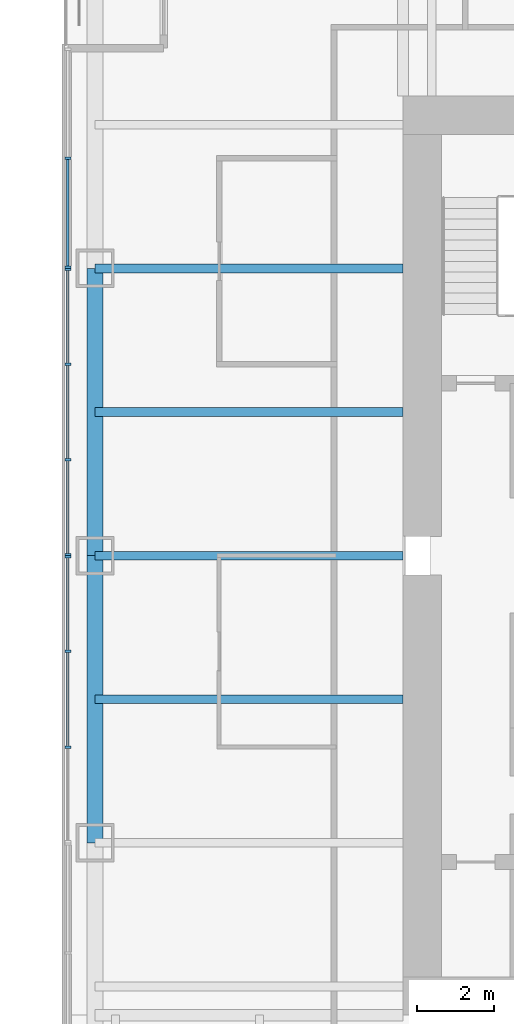
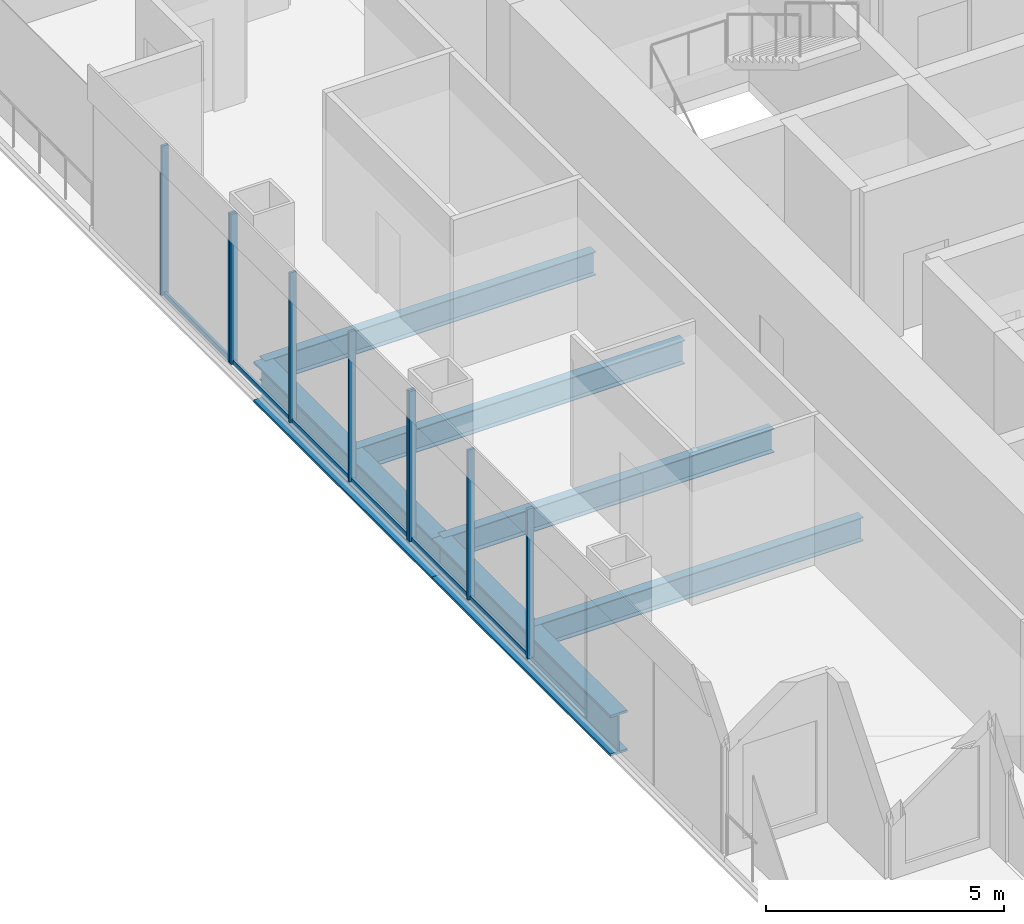
# One storey, part 4 of 14: 15 members, 6 beams, 3 elements without a shape of their own.
"""IFC4 building model written with IfcOpenShell, lengths in metres."""

from ifc_helpers import new_model, si_unit, direction, frame, origin, origin_2d, place, context, subcontext, project, spatial, rectangle, i_section, extrude, material, material_profile, profile_set, type_object, element, aggregate, save


model = new_model("IFC4")

# Units and contexts
model_context = context("Model", 3, precision=1e-05, world=origin(), true_north=direction((0.0, 1.0)))
body_context = subcontext(model_context, "Body", "Model", "MODEL_VIEW")
ifc_project = project(units=[si_unit("LENGTHUNIT", "METRE"), si_unit("AREAUNIT", "SQUARE_METRE"), si_unit("VOLUMEUNIT", "CUBIC_METRE"), si_unit("PLANEANGLEUNIT", "RADIAN"), si_unit("MASSUNIT", "GRAM", prefix="KILO")], contexts=[model_context])

# Site, building, storey
site_placement = place(None, origin())
site = spatial("IfcSite", under=ifc_project, at=site_placement, CompositionType="ELEMENT")
building_placement = place(site_placement, origin())
building = spatial("IfcBuilding", under=site, at=building_placement, Name="Tarangal Relay Tower", CompositionType="ELEMENT")
storey_placement = place(building_placement, frame((0.0, 0.0, 267.89990234375)))
storey = spatial("IfcBuildingStorey", under=building, at=storey_placement, Name="L58", CompositionType="ELEMENT", Elevation=267.89990234375)

# Beams
ifc_material_1 = material(Name="Steel ASTM A992", Category="steel")
ifc_material_profile_1 = material_profile(ifc_material_1, i_section(OverallWidth=0.41162109375, OverallDepth=1.049072265625, WebThickness=0.033935546875, FlangeThickness=0.059814453125, at=origin_2d()), Name="W40X431")
ifc_profile_set_1 = profile_set([ifc_material_profile_1], Name="Steel ASTM A992")
beam_type_1 = type_object("IfcBeamType", Name="Edge girder W40X431", PredefinedType="SPANDREL", material=ifc_profile_set_1)
for number, where, z_axis, x_axis, name in (
    (1, (-20.0400390625, -7.5, -0.67431640625), (0.0, 1.0, 0.0), (-1.0, 0.0, 0.0), "Edge girder EG1 W L58"),
    (2, (-20.0400390625, 0.0, -0.67431640625), (0.0, 1.0, 0.0), (-1.0, 0.0, 0.0), "Edge girder EG1 W L58"),
):
    element("IfcBeam", number, at=place(storey_placement, frame(where, z_axis=z_axis, x_axis=x_axis)), inside=storey, type_object=beam_type_1, Name=name, PredefinedType="SPANDREL", context=body_context, shape_type="SweptSolid", body=[
        extrude(i_section(OverallWidth=0.41162109375, OverallDepth=1.049072265625, WebThickness=0.033935546875, FlangeThickness=0.059814453125, at=origin_2d()), origin(), (0.0, 0.0, 1.0), 7.5),
    ])
ifc_material_profile_2 = material_profile(ifc_material_1, i_section(OverallWidth=0.228271484375, OverallDepth=0.607177734375, WebThickness=0.01123046875, FlangeThickness=0.017333984375, at=origin_2d()), Name="W24X76")
ifc_profile_set_2 = profile_set([ifc_material_profile_2], Name="Steel ASTM A992")
beam_type_2 = type_object("IfcBeamType", Name="Floor beam W24X76", PredefinedType="BEAM", material=ifc_profile_set_2)
for number, where, z_axis, x_axis, name in (
    (3, (-12.0, -3.75, -0.453369140625), (-1.0, 0.0, 0.0), (0.0, -1.0, 0.0), "Floor beam RB5 W L58"),
    (4, (-12.0, 0.0, -0.453369140625), (-1.0, 0.0, 0.0), (0.0, -1.0, 0.0), "Floor beam RB5 W L58"),
    (5, (-12.0, 3.75, -0.453369140625), (-1.0, 0.0, 0.0), (0.0, -1.0, 0.0), "Floor beam RB5 W L58"),
    (6, (-12.0, 7.5, -0.453369140625), (-1.0, 0.0, 0.0), (0.0, -1.0, 0.0), "Floor beam RB5 W L58"),
):
    element("IfcBeam", number, at=place(storey_placement, frame(where, z_axis=z_axis, x_axis=x_axis)), inside=storey, type_object=beam_type_2, Name=name, PredefinedType="BEAM", context=body_context, shape_type="SweptSolid", body=[
        extrude(i_section(OverallWidth=0.228271484375, OverallDepth=0.607177734375, WebThickness=0.01123046875, FlangeThickness=0.017333984375, at=origin_2d()), origin(), (0.0, 0.0, 1.0), 8.0400390625),
    ])

# Curtain wall, members
ifc_material_2 = material(Name="Unitised curtain wall, dark glass and black aluminium", Category="aluminium")
curtain_wall_type_1 = type_object("IfcCurtainWallType", Name="Curtain wall CW-B", PredefinedType="USERDEFINED", material=ifc_material_2)
curtain_wall_1_placement = place(storey_placement, origin())
curtain_wall_1 = element("IfcCurtainWall", 7, at=curtain_wall_1_placement, inside=storey, type_object=curtain_wall_type_1, Name="Curtain wall CW-B W facade L58", ObjectType="UNITISED CURTAIN WALL", PredefinedType="USERDEFINED")
ifc_material_3 = material(Name="Black anodised aluminium mullion", Category="aluminium")
ifc_material_profile_3 = material_profile(ifc_material_3, rectangle(XDim=0.159912109375, YDim=0.06005859375, at=origin_2d()), Name="CW-BM 60X160")
ifc_profile_set_3 = profile_set([ifc_material_profile_3], Name="Black anodised aluminium mullion")
member_type_1 = type_object("IfcMemberType", Name="Mullion CW-B 60 x 160", PredefinedType="MULLION", material=ifc_profile_set_3)
member_1_placement = place(storey_placement, frame((-20.75, -5.0, 0.0), z_axis=(0.0, 0.0, 1.0), x_axis=(-1.0, 0.0, 0.0)))
member_1 = element("IfcMember", 8, at=member_1_placement, type_object=member_type_1, Name="CW-B mullion 2", PredefinedType="MULLION", context=body_context, shape_type="SweptSolid", body=[
    extrude(rectangle(XDim=0.159912109375, YDim=0.06005859375, at=origin_2d()), origin(), (0.0, 0.0, 1.0), 3.85009765625),
])
member_2_placement = place(storey_placement, frame((-20.75, -2.5, 0.0), z_axis=(0.0, 0.0, 1.0), x_axis=(-1.0, 0.0, 0.0)))
member_2 = element("IfcMember", 9, at=member_2_placement, type_object=member_type_1, Name="CW-B mullion 3", PredefinedType="MULLION", context=body_context, shape_type="SweptSolid", body=[
    extrude(rectangle(XDim=0.159912109375, YDim=0.06005859375, at=origin_2d()), origin(), (0.0, 0.0, 1.0), 3.85009765625),
])
member_3_placement = place(storey_placement, frame((-20.75, -0.030029296875, 0.0), z_axis=(0.0, 0.0, 1.0), x_axis=(-1.0, 0.0, 0.0)))
member_3 = element("IfcMember", 10, at=member_3_placement, type_object=member_type_1, Name="CW-B mullion 4", PredefinedType="MULLION", context=body_context, shape_type="SweptSolid", body=[
    extrude(rectangle(XDim=0.159912109375, YDim=0.06005859375, at=origin_2d()), origin(), (0.0, 0.0, 1.0), 3.85009765625),
])

curtain_wall_2_placement = place(storey_placement, origin())
curtain_wall_2 = element("IfcCurtainWall", 11, at=curtain_wall_2_placement, inside=storey, type_object=curtain_wall_type_1, Name="Curtain wall CW-B W facade L58", ObjectType="UNITISED CURTAIN WALL", PredefinedType="USERDEFINED")
member_4_placement = place(storey_placement, frame((-20.75, 0.030029296875, 0.0), z_axis=(0.0, 0.0, 1.0), x_axis=(-1.0, 0.0, 0.0)))
member_4 = element("IfcMember", 12, at=member_4_placement, type_object=member_type_1, Name="CW-B mullion 1", PredefinedType="MULLION", context=body_context, shape_type="SweptSolid", body=[
    extrude(rectangle(XDim=0.159912109375, YDim=0.06005859375, at=origin_2d()), origin(), (0.0, 0.0, 1.0), 3.85009765625),
])
member_5_placement = place(storey_placement, frame((-20.75, 2.5, 0.0), z_axis=(0.0, 0.0, 1.0), x_axis=(-1.0, 0.0, 0.0)))
member_5 = element("IfcMember", 13, at=member_5_placement, type_object=member_type_1, Name="CW-B mullion 2", PredefinedType="MULLION", context=body_context, shape_type="SweptSolid", body=[
    extrude(rectangle(XDim=0.159912109375, YDim=0.06005859375, at=origin_2d()), origin(), (0.0, 0.0, 1.0), 3.85009765625),
])
member_6_placement = place(storey_placement, frame((-20.75, 5.0, 0.0), z_axis=(0.0, 0.0, 1.0), x_axis=(-1.0, 0.0, 0.0)))
member_6 = element("IfcMember", 14, at=member_6_placement, type_object=member_type_1, Name="CW-B mullion 3", PredefinedType="MULLION", context=body_context, shape_type="SweptSolid", body=[
    extrude(rectangle(XDim=0.159912109375, YDim=0.06005859375, at=origin_2d()), origin(), (0.0, 0.0, 1.0), 3.85009765625),
])
member_7_placement = place(storey_placement, frame((-20.75, 7.469970703125, 0.0), z_axis=(0.0, 0.0, 1.0), x_axis=(-1.0, 0.0, 0.0)))
member_7 = element("IfcMember", 15, at=member_7_placement, type_object=member_type_1, Name="CW-B mullion 4", PredefinedType="MULLION", context=body_context, shape_type="SweptSolid", body=[
    extrude(rectangle(XDim=0.159912109375, YDim=0.06005859375, at=origin_2d()), origin(), (0.0, 0.0, 1.0), 3.85009765625),
])

ifc_material_4 = material(Name="Unitised curtain wall frame, black aluminium, with metal clad infill walls", Category="aluminium")
curtain_wall_type_2 = type_object("IfcCurtainWallType", Name="Curtain wall CW-BO", PredefinedType="USERDEFINED", material=ifc_material_4)
curtain_wall_3_placement = place(storey_placement, origin())
curtain_wall_3 = element("IfcCurtainWall", 16, at=curtain_wall_3_placement, inside=storey, type_object=curtain_wall_type_2, Name="Curtain wall CW-BO W facade L58", ObjectType="UNITISED CURTAIN WALL", PredefinedType="USERDEFINED")
ifc_material_profile_4 = material_profile(ifc_material_3, rectangle(XDim=0.159912109375, YDim=0.06005859375, at=origin_2d()), Name="CW-BOM 60X160")
ifc_profile_set_4 = profile_set([ifc_material_profile_4], Name="Black anodised aluminium mullion")
member_type_2 = type_object("IfcMemberType", Name="Mullion CW-BO 60 x 160", PredefinedType="MULLION", material=ifc_profile_set_4)
member_8_placement = place(storey_placement, frame((-20.75, 7.530029296875, 0.0), z_axis=(0.0, 0.0, 1.0), x_axis=(-1.0, 0.0, 0.0)))
member_8 = element("IfcMember", 17, at=member_8_placement, type_object=member_type_2, Name="CW-BO mullion 1", PredefinedType="MULLION", context=body_context, shape_type="SweptSolid", body=[
    extrude(rectangle(XDim=0.159912109375, YDim=0.06005859375, at=origin_2d()), origin(), (0.0, 0.0, 1.0), 3.85009765625),
])
member_9_placement = place(storey_placement, frame((-20.75, 10.375, 0.0), z_axis=(0.0, 0.0, 1.0), x_axis=(-1.0, 0.0, 0.0)))
member_9 = element("IfcMember", 18, at=member_9_placement, type_object=member_type_2, Name="CW-BO mullion 2", PredefinedType="MULLION", context=body_context, shape_type="SweptSolid", body=[
    extrude(rectangle(XDim=0.159912109375, YDim=0.06005859375, at=origin_2d()), origin(), (0.0, 0.0, 1.0), 3.85009765625),
])

# Member
ifc_material_5 = material(Name="Black anodised aluminium transom", Category="aluminium")
ifc_material_profile_5 = material_profile(ifc_material_5, rectangle(XDim=0.06005859375, YDim=0.1298828125, at=origin_2d()), Name="CW-BT 60X130")
ifc_profile_set_5 = profile_set([ifc_material_profile_5], Name="Black anodised aluminium transom")
member_type_3 = type_object("IfcMemberType", Name="Transom CW-B 60 x 130", PredefinedType="USERDEFINED", material=ifc_profile_set_5)
member_10_placement = place(storey_placement, frame((-20.75, -4.969970703125, 0.030029296875), z_axis=(0.0, 1.0, 0.0), x_axis=(-1.0, 0.0, 0.0)))
member_10 = element("IfcMember", 19, at=member_10_placement, type_object=member_type_3, Name="CW-B transom 2.1", ObjectType="TRANSOM", PredefinedType="USERDEFINED", context=body_context, shape_type="SweptSolid", body=[
    extrude(rectangle(XDim=0.06005859375, YDim=0.1298828125, at=origin_2d()), origin(), (0.0, 0.0, 1.0), 2.43994140625),
])

member_11_placement = place(storey_placement, frame((-20.75, -2.469970703125, 0.030029296875), z_axis=(0.0, 1.0, 0.0), x_axis=(-1.0, 0.0, 0.0)))
member_11 = element("IfcMember", 20, at=member_11_placement, type_object=member_type_3, Name="CW-B transom 3.1", ObjectType="TRANSOM", PredefinedType="USERDEFINED", context=body_context, shape_type="SweptSolid", body=[
    extrude(rectangle(XDim=0.06005859375, YDim=0.1298828125, at=origin_2d()), origin(), (0.0, 0.0, 1.0), 2.409912109375),
])

aggregate(curtain_wall_1, [member_1, member_2, member_3, member_10, member_11])

member_12_placement = place(storey_placement, frame((-20.75, 0.06005859375, 0.030029296875), z_axis=(0.0, 1.0, 0.0), x_axis=(-1.0, 0.0, 0.0)))
member_12 = element("IfcMember", 21, at=member_12_placement, type_object=member_type_3, Name="CW-B transom 1.1", ObjectType="TRANSOM", PredefinedType="USERDEFINED", context=body_context, shape_type="SweptSolid", body=[
    extrude(rectangle(XDim=0.06005859375, YDim=0.1298828125, at=origin_2d()), origin(), (0.0, 0.0, 1.0), 2.409912109375),
])

member_13_placement = place(storey_placement, frame((-20.75, 2.530029296875, 0.030029296875), z_axis=(0.0, 1.0, 0.0), x_axis=(-1.0, 0.0, 0.0)))
member_13 = element("IfcMember", 22, at=member_13_placement, type_object=member_type_3, Name="CW-B transom 2.1", ObjectType="TRANSOM", PredefinedType="USERDEFINED", context=body_context, shape_type="SweptSolid", body=[
    extrude(rectangle(XDim=0.06005859375, YDim=0.1298828125, at=origin_2d()), origin(), (0.0, 0.0, 1.0), 2.43994140625),
])

member_14_placement = place(storey_placement, frame((-20.75, 5.030029296875, 0.030029296875), z_axis=(0.0, 1.0, 0.0), x_axis=(-1.0, 0.0, 0.0)))
member_14 = element("IfcMember", 23, at=member_14_placement, type_object=member_type_3, Name="CW-B transom 3.1", ObjectType="TRANSOM", PredefinedType="USERDEFINED", context=body_context, shape_type="SweptSolid", body=[
    extrude(rectangle(XDim=0.06005859375, YDim=0.1298828125, at=origin_2d()), origin(), (0.0, 0.0, 1.0), 2.409912109375),
])

aggregate(curtain_wall_2, [member_4, member_5, member_6, member_7, member_12, member_13, member_14])

ifc_material_profile_6 = material_profile(ifc_material_5, rectangle(XDim=0.06005859375, YDim=0.1298828125, at=origin_2d()), Name="CW-BOT 60X130")
ifc_profile_set_6 = profile_set([ifc_material_profile_6], Name="Black anodised aluminium transom")
member_type_4 = type_object("IfcMemberType", Name="Transom CW-BO 60 x 130", PredefinedType="USERDEFINED", material=ifc_profile_set_6)
member_15_placement = place(storey_placement, frame((-20.75, 7.56005859375, 0.030029296875), z_axis=(0.0, 1.0, 0.0), x_axis=(-1.0, 0.0, 0.0)))
member_15 = element("IfcMember", 24, at=member_15_placement, type_object=member_type_4, Name="CW-BO transom 1.1", ObjectType="TRANSOM", PredefinedType="USERDEFINED", context=body_context, shape_type="SweptSolid", body=[
    extrude(rectangle(XDim=0.06005859375, YDim=0.1298828125, at=origin_2d()), origin(), (0.0, 0.0, 1.0), 2.784912109375),
])

aggregate(curtain_wall_3, [member_8, member_9, member_15])

save(model, "model.ifc")
